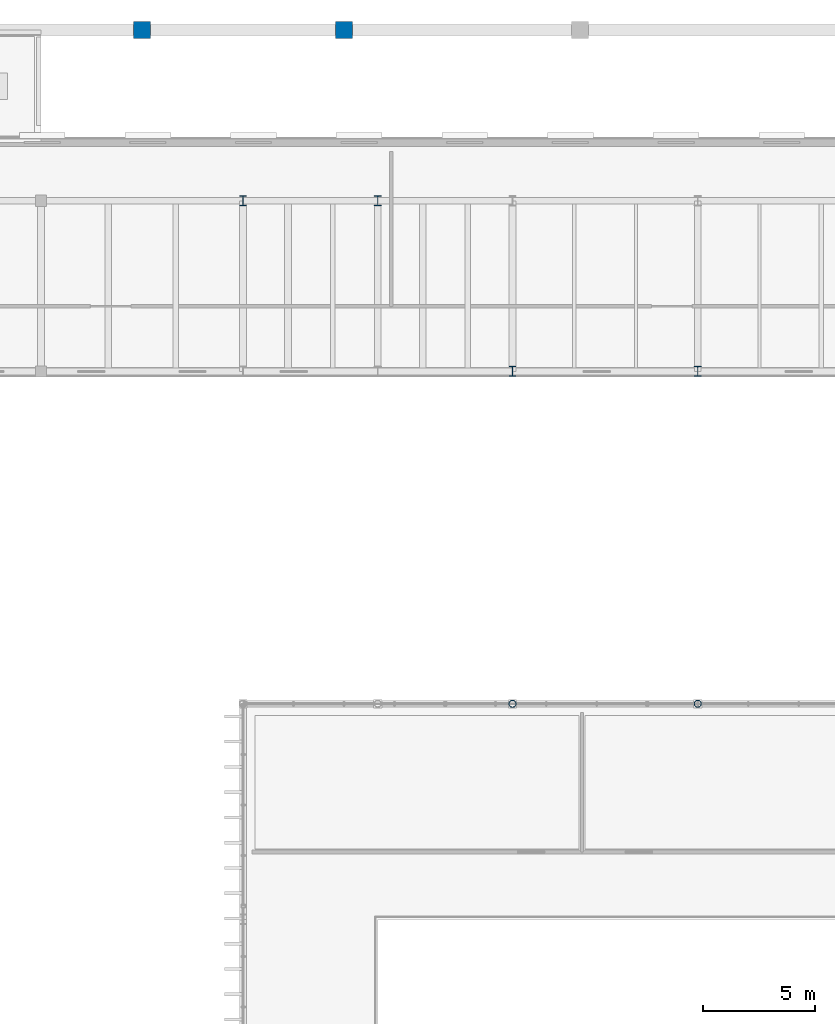
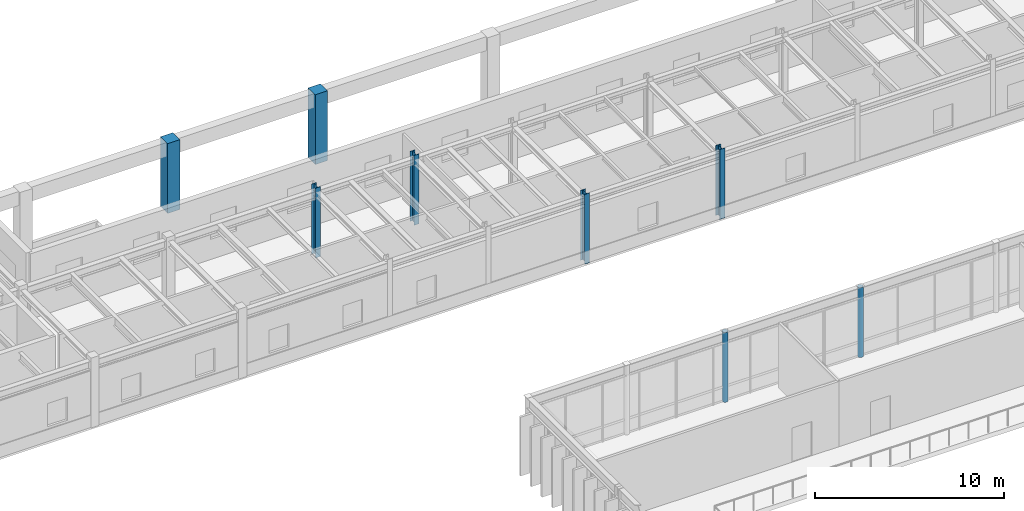
# One storey, part 11 of 64: 8 columns.
"""IFC4 building model written with IfcOpenShell, lengths in metres."""

from ifc_helpers import new_model, si_unit, direction, frame, origin, origin_2d, place, context, subcontext, project, spatial, rectangle, hollow_circle, i_section, extrude, material, material_profile, profile_set, type_object, element, save


model = new_model("IFC4")

# Units and contexts
model_context = context("Model", 3, precision=1e-05, world=origin(), true_north=direction((0.0, 1.0)))
body_context = subcontext(model_context, "Body", "Model", "MODEL_VIEW")
ifc_project = project(units=[si_unit("LENGTHUNIT", "METRE"), si_unit("AREAUNIT", "SQUARE_METRE"), si_unit("VOLUMEUNIT", "CUBIC_METRE"), si_unit("PLANEANGLEUNIT", "RADIAN"), si_unit("MASSUNIT", "GRAM", prefix="KILO")], contexts=[model_context])

# Site, building, storey
site_placement = place(None, origin())
site = spatial("IfcSite", under=ifc_project, at=site_placement, CompositionType="ELEMENT")
building_placement = place(site_placement, origin())
building = spatial("IfcBuilding", under=site, at=building_placement, Name="Montealbar Specialist Clinic", CompositionType="ELEMENT")
storey_placement = place(building_placement, frame((0.0, 0.0, 5.10009765625)))
storey = spatial("IfcBuildingStorey", under=building, at=storey_placement, Name="L01", CompositionType="ELEMENT", Elevation=5.10009765625)

# Columns
ifc_material_1 = material(Name="Steel S355", Category="steel")
ifc_material_profile_1 = material_profile(ifc_material_1, hollow_circle(Radius=0.161865234375, WallThickness=0.01611328125, at=origin_2d()), Name="CHS 323.9x16.0", Category="steel")
ifc_profile_set_1 = profile_set([ifc_material_profile_1], Name="Steel S355")
column_type_1 = type_object("IfcColumnType", Name="COL-CHS-HALL-EXT", PredefinedType="COLUMN", material=ifc_profile_set_1)
for number, where, z_axis, x_axis, name in (
    (1, (66.0, 81.0, 0.0), (0.0, 0.0, 1.0), (1.0, 0.0, 0.0), "Column 9/K L01"),
    (2, (74.25, 81.0, 0.0), (0.0, 0.0, 1.0), (1.0, 0.0, 0.0), "Column 10/K L01"),
):
    element("IfcColumn", number, at=place(storey_placement, frame(where, z_axis=z_axis, x_axis=x_axis)), inside=storey, type_object=column_type_1, Name=name, PredefinedType="COLUMN", context=body_context, shape_type="SweptSolid", body=[
        extrude(hollow_circle(Radius=0.161865234375, WallThickness=0.01611328125, at=origin_2d()), origin(), (0.0, 0.0, 1.0), 4.5),
    ])
ifc_material_profile_2 = material_profile(ifc_material_1, i_section(OverallWidth=0.300048828125, OverallDepth=0.449951171875, WebThickness=0.013916015625, FlangeThickness=0.02587890625, FilletRadius=0.027099609375, at=origin_2d()), Name="HEB 450", Category="steel")
ifc_profile_set_2 = profile_set([ifc_material_profile_2], Name="Steel S355")
column_type_2 = type_object("IfcColumnType", Name="COL-S-L01-STD", PredefinedType="COLUMN", material=ifc_profile_set_2)
for number, where, z_axis, x_axis, name in (
    (3, (54.0, 103.39990234375, 0.0), (0.0, 0.0, 1.0), (1.0, 0.0, 0.0), "Column 7/N L01"),
    (4, (60.0, 103.39990234375, 0.0), (0.0, 0.0, 1.0), (1.0, 0.0, 0.0), "Column 8/N L01"),
):
    element("IfcColumn", number, at=place(storey_placement, frame(where, z_axis=z_axis, x_axis=x_axis)), inside=storey, type_object=column_type_2, Name=name, PredefinedType="COLUMN", context=body_context, shape_type="SweptSolid", body=[
        extrude(i_section(OverallWidth=0.300048828125, OverallDepth=0.449951171875, WebThickness=0.013916015625, FlangeThickness=0.02587890625, FilletRadius=0.027099609375, at=origin_2d()), origin(), (0.0, 0.0, 1.0), 4.5),
    ])
ifc_material_profile_3 = material_profile(ifc_material_1, i_section(OverallWidth=0.300048828125, OverallDepth=0.449951171875, WebThickness=0.013916015625, FlangeThickness=0.02587890625, FilletRadius=0.027099609375, at=origin_2d()), Name="HEB 450", Category="steel")
ifc_profile_set_3 = profile_set([ifc_material_profile_3], Name="Steel S355")
column_type_3 = type_object("IfcColumnType", Name="COL-S-L01-STD-EXT", PredefinedType="COLUMN", material=ifc_profile_set_3)
for number, where, z_axis, x_axis, name in (
    (5, (66.0, 95.800048828125, 0.0), (0.0, 0.0, 1.0), (1.0, 0.0, 0.0), "Column 9/M L01"),
    (6, (74.25, 95.800048828125, 0.0), (0.0, 0.0, 1.0), (1.0, 0.0, 0.0), "Column 10/M L01"),
):
    element("IfcColumn", number, at=place(storey_placement, frame(where, z_axis=z_axis, x_axis=x_axis)), inside=storey, type_object=column_type_3, Name=name, PredefinedType="COLUMN", context=body_context, shape_type="SweptSolid", body=[
        extrude(i_section(OverallWidth=0.300048828125, OverallDepth=0.449951171875, WebThickness=0.013916015625, FlangeThickness=0.02587890625, FilletRadius=0.027099609375, at=origin_2d()), origin(), (0.0, 0.0, 1.0), 4.5),
    ])
ifc_material_2 = material(Name="Guadarrama granite ashlar", Category="masonry")
ifc_material_profile_4 = material_profile(ifc_material_2, rectangle(XDim=0.75, YDim=0.75, at=origin_2d()), Name="GRANITE PILASTER 750x750", Category="masonry")
ifc_profile_set_4 = profile_set([ifc_material_profile_4], Name="Guadarrama granite ashlar")
column_type_4 = type_object("IfcColumnType", Name="PIL-PM-GIANT-EXT", PredefinedType="PILASTER", material=ifc_profile_set_4)
for number, where, z_axis, x_axis, name in (
    (7, (49.5, 111.0, 0.0), (0.0, 0.0, 1.0), (1.0, 0.0, 0.0), "Column NP4/P L01"),
    (8, (58.5, 111.0, 0.0), (0.0, 0.0, 1.0), (1.0, 0.0, 0.0), "Column NP5/P L01"),
):
    element("IfcColumn", number, at=place(storey_placement, frame(where, z_axis=z_axis, x_axis=x_axis)), inside=storey, type_object=column_type_4, Name=name, PredefinedType="PILASTER", context=body_context, shape_type="SweptSolid", body=[
        extrude(rectangle(XDim=0.75, YDim=0.75, at=origin_2d()), origin(), (0.0, 0.0, 1.0), 4.5),
    ])

save(model, "model.ifc")
